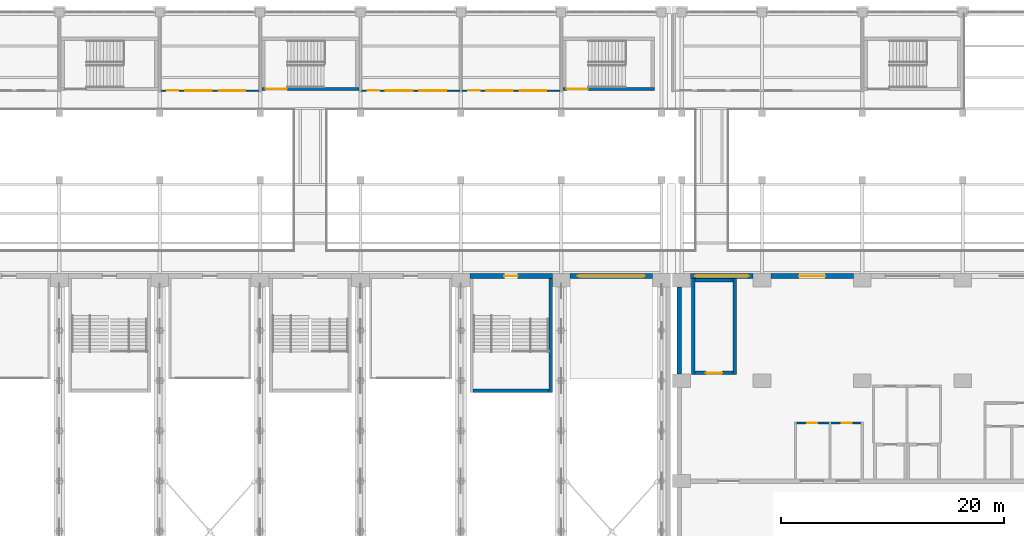
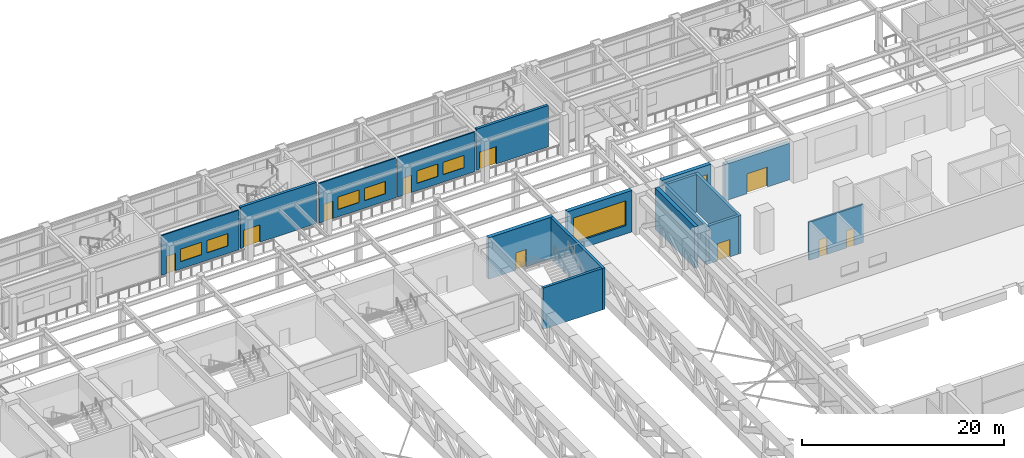
# One storey, part 37 of 76: 17 walls, 10 doors, 8 windows, 18 openings.
"""IFC4 building model written with IfcOpenShell, lengths in metres."""

from ifc_helpers import new_model, si_unit, direction, frame, frame_2d, origin, place, context, subcontext, project, spatial, rectangle, extrude, material, layer, layer_set, type_object, element, fill, save


model = new_model("IFC4")

# Units and contexts
model_context = context("Model", 3, precision=1e-05, world=origin(), true_north=direction((0.0, 1.0)))
body_context = subcontext(model_context, "Body", "Model", "MODEL_VIEW")
ifc_project = project(units=[si_unit("LENGTHUNIT", "METRE"), si_unit("AREAUNIT", "SQUARE_METRE"), si_unit("VOLUMEUNIT", "CUBIC_METRE"), si_unit("PLANEANGLEUNIT", "RADIAN"), si_unit("MASSUNIT", "GRAM", prefix="KILO")], contexts=[model_context])

# Site, building, storey
site_placement = place(None, origin())
site = spatial("IfcSite", under=ifc_project, at=site_placement, CompositionType="ELEMENT")
building_placement = place(site_placement, origin())
building = spatial("IfcBuilding", under=site, at=building_placement, Name="Aravalli Gate Trade Fair Centre", CompositionType="ELEMENT")
storey_placement = place(building_placement, frame((0.0, 0.0, 10.0)))
storey = spatial("IfcBuildingStorey", under=building, at=storey_placement, Name="L02", CompositionType="ELEMENT", Elevation=10.0)

# Walls
ifc_material_1 = material(Name="Concrete M40", Category="concrete")
ifc_layer_1 = layer(ifc_material_1, 0.300048828125)
ifc_layer_set_1 = layer_set([ifc_layer_1], Name="Concrete M40")
wall_type_1 = type_object("IfcWallType", Name="Congress RC wall 300", PredefinedType="SHEAR", material=ifc_layer_set_1)
for number, where, z_axis, x_axis, name in (
    (1, (107.85009765625, 100.550048828125, 0.0), (0.0, 0.0, 1.0), (0.0, 1.0, 0.0), "Foyer Stair West wall W L02"),
    (2, (111.550048828125, 100.550048828125, 0.0), (0.0, 0.0, 1.0), (0.0, 1.0, 0.0), "Foyer Stair West wall E L02"),
):
    element("IfcWall", number, at=place(storey_placement, frame(where, z_axis=z_axis, x_axis=x_axis)), inside=storey, type_object=wall_type_1, Name=name, PredefinedType="SHEAR", context=body_context, shape_type="SweptSolid", body=[
        extrude(rectangle(XDim=8.599853515625, YDim=0.300048828125, at=frame_2d((4.2998046875, 0.0))), origin(), (0.0, 0.0, 1.0), 4.60009765625),
    ])

# Wall, opening, door
wall_1_placement = place(storey_placement, frame((108.0, 100.699951171875, 0.0), z_axis=(0.0, 0.0, 1.0), x_axis=(1.0, 0.0, 0.0)))
wall_1 = element("IfcWall", 3, at=wall_1_placement, inside=storey, type_object=wall_type_1, Name="Foyer Stair West wall S L02", PredefinedType="SHEAR", context=body_context, shape_type="SweptSolid", body=[
    extrude(rectangle(XDim=3.39990234375, YDim=0.300048828125, at=frame_2d((1.699951171875, 0.0))), origin(), (0.0, 0.0, 1.0), 4.60009765625),
])
opening_1_placement = place(wall_1_placement, frame((0.97509765625, 0.0, 0.0)))
opening_1 = element("IfcOpeningElement", 4, at=opening_1_placement, cuts=wall_1, Name="Opening G-L02-07", PredefinedType="OPENING", context=body_context, shape_type="SweptSolid", body=[
    extrude(rectangle(XDim=1.449951171875, YDim=2.10009765625, at=frame_2d((0.72509765625, 1.050048828125))), frame((0.0, 0.159912109375, 0.0), z_axis=(0.0, -1.0, 0.0), x_axis=(1.0, 0.0, 0.0)), (0.0, 0.0, 1.0), 0.320068359375),
])
ifc_material_2 = material(Name="Steel, fire rated", Category="steel")
door_type_1 = type_object("IfcDoorType", Name="Congress fire door FD120 1450 x 2100", OperationType="SINGLE_SWING_LEFT", PredefinedType="DOOR", material=ifc_material_2)
door_1_placement = place(opening_1_placement, origin())
door_1 = element("IfcDoor", 5, at=door_1_placement, inside=storey, type_object=door_type_1, Name="Foyer Stair West door L02", OperationType="SINGLE_SWING_RIGHT", OverallHeight=2.10009765625, OverallWidth=1.449951171875, PredefinedType="DOOR", context=body_context, shape_type="SweptSolid", body=[
    extrude(rectangle(XDim=1.449951171875, YDim=2.10009765625, at=frame_2d((0.72509765625, 1.050048828125))), frame((0.0, 0.02490234375, 0.0), z_axis=(0.0, -1.0, 0.0), x_axis=(1.0, 0.0, 0.0)), (0.0, 0.0, 1.0), 0.050048828125),
])
fill(opening_1, door_1)

# Walls
wall_2_placement = place(storey_placement, frame((108.0, 109.0, 0.0), z_axis=(0.0, 0.0, 1.0), x_axis=(1.0, 0.0, 0.0)))
element("IfcWall", 6, at=wall_2_placement, inside=storey, type_object=wall_type_1, Name="Foyer Stair West wall N L02", PredefinedType="SHEAR", context=body_context, shape_type="SweptSolid", body=[
    extrude(rectangle(XDim=3.39990234375, YDim=0.300048828125, at=frame_2d((1.699951171875, 0.0))), origin(), (0.0, 0.0, 1.0), 4.60009765625),
])
ifc_layer_2 = layer(ifc_material_1, 0.25, Name="Structural wall")
ifc_material_3 = material(Name="Ventilated air cavity")
ifc_layer_3 = layer(ifc_material_3, 0.050048828125, ventilated=True, Name="Ventilated cavity")
ifc_material_4 = material(Name="Terracotta rainscreen", Category="masonry")
ifc_layer_4 = layer(ifc_material_4, 0.10009765625, Name="Rainscreen cladding")
ifc_layer_set_2 = layer_set([ifc_layer_2, ifc_layer_3, ifc_layer_4], Name="Congress external wall 400")
wall_type_2 = type_object("IfcWallType", Name="Congress external wall 400", PredefinedType="SOLIDWALL", material=ifc_layer_set_2)
wall_3_placement = place(storey_placement, frame((106.60009765625, 100.60009765625, 0.0), z_axis=(0.0, 0.0, 1.0), x_axis=(0.0, 1.0, 0.0)))
element("IfcWall", 7, at=wall_3_placement, inside=storey, type_object=wall_type_2, Name="West wall L02 bay 7", PredefinedType="SOLIDWALL", context=body_context, shape_type="SweptSolid", body=[
    extrude(rectangle(XDim=7.7998046875, YDim=0.39990234375, at=frame_2d((3.89990234375, 0.0))), origin(), (0.0, 0.0, 1.0), 5.0),
])

# Wall, openings, doors
ifc_material_5 = material(Name="Concrete block masonry", Category="masonry")
ifc_layer_5 = layer(ifc_material_5, 0.199951171875)
ifc_layer_set_3 = layer_set([ifc_layer_5], Name="Concrete block masonry")
wall_type_3 = type_object("IfcWallType", Name="Congress partition 200", PredefinedType="PARTITIONING", material=ifc_layer_set_3)
wall_4_placement = place(storey_placement, frame((116.89990234375, 96.199951171875, 0.0), z_axis=(0.0, 0.0, 1.0), x_axis=(1.0, 0.0, 0.0)))
wall_4 = element("IfcWall", 8, at=wall_4_placement, inside=storey, type_object=wall_type_3, Name="Interpreters booth wall N", PredefinedType="PARTITIONING", context=body_context, shape_type="SweptSolid", body=[
    extrude(rectangle(XDim=6.2001953125, YDim=0.199951171875, at=frame_2d((3.10009765625, 0.0))), origin(), (0.0, 0.0, 1.0), 4.60009765625),
])
opening_2_placement = place(wall_4_placement, frame((1.14990234375, 0.0, 0.0)))
opening_2 = element("IfcOpeningElement", 9, at=opening_2_placement, cuts=wall_4, Name="Opening G-L02-17", PredefinedType="OPENING", context=body_context, shape_type="SweptSolid", body=[
    extrude(rectangle(XDim=0.89990234375, YDim=2.10009765625, at=frame_2d((0.449951171875, 1.050048828125))), frame((0.0, 0.10986328125, 0.0), z_axis=(0.0, -1.0, 0.0), x_axis=(1.0, 0.0, 0.0)), (0.0, 0.0, 1.0), 0.219970703125),
])
opening_3_placement = place(wall_4_placement, frame((4.25, 0.0, 0.0)))
opening_3 = element("IfcOpeningElement", 10, at=opening_3_placement, cuts=wall_4, Name="Opening G-L02-18", PredefinedType="OPENING", context=body_context, shape_type="SweptSolid", body=[
    extrude(rectangle(XDim=0.89990234375, YDim=2.10009765625, at=frame_2d((0.449951171875, 1.050048828125))), frame((0.0, 0.10986328125, 0.0), z_axis=(0.0, -1.0, 0.0), x_axis=(1.0, 0.0, 0.0)), (0.0, 0.0, 1.0), 0.219970703125),
])
door_type_2 = type_object("IfcDoorType", Name="Congress fire door FD120 900 x 2100", OperationType="SINGLE_SWING_LEFT", PredefinedType="DOOR", material=ifc_material_2)
door_2_placement = place(opening_2_placement, frame((0.89990234375, 0.0, 0.0), z_axis=(0.0, 0.0, 1.0), x_axis=(-1.0, 0.0, 0.0)))
door_2 = element("IfcDoor", 11, at=door_2_placement, inside=storey, type_object=door_type_2, Name="Interpreters booth 1 door", OperationType="SINGLE_SWING_RIGHT", OverallHeight=2.10009765625, OverallWidth=0.89990234375, PredefinedType="DOOR", context=body_context, shape_type="SweptSolid", body=[
    extrude(rectangle(XDim=0.89990234375, YDim=2.10009765625, at=frame_2d((0.449951171875, 1.050048828125))), frame((0.0, 0.02490234375, 0.0), z_axis=(0.0, -1.0, 0.0), x_axis=(1.0, 0.0, 0.0)), (0.0, 0.0, 1.0), 0.050048828125),
])
fill(opening_2, door_2)
door_3_placement = place(opening_3_placement, frame((0.89990234375, 0.0, 0.0), z_axis=(0.0, 0.0, 1.0), x_axis=(-1.0, 0.0, 0.0)))
door_3 = element("IfcDoor", 12, at=door_3_placement, inside=storey, type_object=door_type_2, Name="Interpreters booth 2 door", OperationType="SINGLE_SWING_LEFT", OverallHeight=2.10009765625, OverallWidth=0.89990234375, PredefinedType="DOOR", context=body_context, shape_type="SweptSolid", body=[
    extrude(rectangle(XDim=0.89990234375, YDim=2.10009765625, at=frame_2d((0.449951171875, 1.050048828125))), frame((0.0, 0.02490234375, 0.0), z_axis=(0.0, -1.0, 0.0), x_axis=(1.0, 0.0, 0.0)), (0.0, 0.0, 1.0), 0.050048828125),
])
fill(opening_3, door_3)

# Wall, opening, window
ifc_layer_6 = layer(ifc_material_1, 0.449951171875)
ifc_layer_set_4 = layer_set([ifc_layer_6], Name="Concrete M40")
wall_type_4 = type_object("IfcWallType", Name="Congress party wall 450", PredefinedType="SOLIDWALL", material=ifc_layer_set_4)
wall_5_placement = place(storey_placement, frame((107.60009765625, 109.375, 0.0), z_axis=(0.0, 0.0, 1.0), x_axis=(1.0, 0.0, 0.0)))
wall_5 = element("IfcWall", 13, at=wall_5_placement, inside=storey, type_object=wall_type_4, Name="North wall L02 bay 1", PredefinedType="SOLIDWALL", context=body_context, shape_type="SweptSolid", body=[
    extrude(rectangle(XDim=5.599853515625, YDim=0.449951171875, at=frame_2d((2.7998046875, 0.0))), origin(), (0.0, 0.0, 1.0), 5.0),
])
opening_4_placement = place(wall_5_placement, frame((0.39990234375, 0.0, 0.89990234375)))
opening_4 = element("IfcOpeningElement", 14, at=opening_4_placement, cuts=wall_5, Name="Opening GWN3", PredefinedType="OPENING", context=body_context, shape_type="SweptSolid", body=[
    extrude(rectangle(XDim=4.800048828125, YDim=3.0, at=frame_2d((2.39990234375, 1.5))), frame((0.0, 0.23486328125, 0.0), z_axis=(0.0, -1.0, 0.0), x_axis=(1.0, 0.0, 0.0)), (0.0, 0.0, 1.0), 0.469970703125),
])
ifc_material_6 = material(Name="Aluminium and glass", Category="aluminium")
window_type_1 = type_object("IfcWindowType", Name="Congress foyer window 4800 x 3000", PartitioningType="SINGLE_PANEL", PredefinedType="WINDOW", material=ifc_material_6)
window_1_placement = place(opening_4_placement, origin())
window_1 = element("IfcWindow", 15, at=window_1_placement, inside=storey, type_object=window_type_1, Name="Foyer window L02 bay 1", OverallHeight=3.0, OverallWidth=4.800048828125, PartitioningType="SINGLE_PANEL", PredefinedType="WINDOW", context=body_context, shape_type="SweptSolid", body=[
    extrude(rectangle(XDim=4.800048828125, YDim=3.0, at=frame_2d((2.39990234375, 1.5))), frame((0.0, 0.030029296875, 0.0), z_axis=(0.0, -1.0, 0.0), x_axis=(1.0, 0.0, 0.0)), (0.0, 0.0, 1.0), 0.06005859375),
])
fill(opening_4, window_1)

# Wall, opening, door
wall_6_placement = place(storey_placement, frame((114.800048828125, 109.375, 0.0), z_axis=(0.0, 0.0, 1.0), x_axis=(1.0, 0.0, 0.0)))
wall_6 = element("IfcWall", 16, at=wall_6_placement, inside=storey, type_object=wall_type_4, Name="North wall L02 bay 2", PredefinedType="SOLIDWALL", context=body_context, shape_type="SweptSolid", body=[
    extrude(rectangle(XDim=7.39990234375, YDim=0.449951171875, at=frame_2d((3.699951171875, 0.0))), origin(), (0.0, 0.0, 1.0), 4.39990234375),
])
opening_5_placement = place(wall_6_placement, frame((2.52490234375, 0.0, 0.0)))
opening_5 = element("IfcOpeningElement", 17, at=opening_5_placement, cuts=wall_6, Name="Opening G-L02-03", PredefinedType="OPENING", context=body_context, shape_type="SweptSolid", body=[
    extrude(rectangle(XDim=2.35009765625, YDim=2.39990234375, at=frame_2d((1.175048828125, 1.199951171875))), frame((0.0, 0.23486328125, 0.0), z_axis=(0.0, -1.0, 0.0), x_axis=(1.0, 0.0, 0.0)), (0.0, 0.0, 1.0), 0.469970703125),
])
door_type_3 = type_object("IfcDoorType", Name="Congress glazed entrance door 2350 x 2400 double door single swing", OperationType="DOUBLE_DOOR_SINGLE_SWING", PredefinedType="DOOR", material=ifc_material_6)
door_4_placement = place(opening_5_placement, frame((2.35009765625, 0.0, 0.0), z_axis=(0.0, 0.0, 1.0), x_axis=(-1.0, 0.0, 0.0)))
door_4 = element("IfcDoor", 18, at=door_4_placement, inside=storey, type_object=door_type_3, Name="Foyer gallery door L02 1", OperationType="DOUBLE_DOOR_SINGLE_SWING", OverallHeight=2.39990234375, OverallWidth=2.35009765625, PredefinedType="DOOR", context=body_context, shape_type="SweptSolid", body=[
    extrude(rectangle(XDim=2.35009765625, YDim=2.39990234375, at=frame_2d((1.175048828125, 1.199951171875))), frame((0.0, 0.02490234375, 0.0), z_axis=(0.0, -1.0, 0.0), x_axis=(1.0, 0.0, 0.0)), (0.0, 0.0, 1.0), 0.050048828125),
])
fill(opening_5, door_4)

ifc_layer_7 = layer(ifc_material_1, 0.25, Name="Structural wall")
ifc_layer_8 = layer(ifc_material_3, 0.10009765625, ventilated=True, Name="Ventilated cavity")
ifc_layer_9 = layer(ifc_material_4, 0.10009765625, Name="Rainscreen cladding")
ifc_layer_set_5 = layer_set([ifc_layer_7, ifc_layer_8, ifc_layer_9], Name="Hall external wall 450")
wall_type_5 = type_object("IfcWallType", Name="Hall external wall 450", PredefinedType="SOLIDWALL", material=ifc_layer_set_5)
wall_7_placement = place(storey_placement, frame((87.800048828125, 109.375, 0.0), z_axis=(0.0, 0.0, 1.0), x_axis=(1.0, 0.0, 0.0)))
wall_7 = element("IfcWall", 19, at=wall_7_placement, inside=storey, type_object=wall_type_5, Name="Hall north wall bay 10 L02", PredefinedType="SOLIDWALL", context=body_context, shape_type="SweptSolid", body=[
    extrude(rectangle(XDim=7.39990234375, YDim=0.449951171875, at=frame_2d((3.699951171875, 0.0))), origin(), (0.0, 0.0, 1.0), 5.0),
])
opening_6_placement = place(wall_7_placement, frame((3.10009765625, 0.0, 0.0)))
opening_6 = element("IfcOpeningElement", 20, at=opening_6_placement, cuts=wall_7, Name="Opening H-L02-05", PredefinedType="OPENING", context=body_context, shape_type="SweptSolid", body=[
    extrude(rectangle(XDim=1.199951171875, YDim=2.10009765625, at=frame_2d((0.60009765625, 1.050048828125))), frame((0.0, 0.23486328125, 0.0), z_axis=(0.0, -1.0, 0.0), x_axis=(1.0, 0.0, 0.0)), (0.0, 0.0, 1.0), 0.469970703125),
])
ifc_material_7 = material(Name="Steel", Category="steel")
door_type_4 = type_object("IfcDoorType", Name="Hall stair gallery door FD120", OperationType="SINGLE_SWING_LEFT", PredefinedType="DOOR", material=ifc_material_7)
door_5_placement = place(opening_6_placement, frame((1.199951171875, 0.0, 0.0), z_axis=(0.0, 0.0, 1.0), x_axis=(-1.0, 0.0, 0.0)))
door_5 = element("IfcDoor", 21, at=door_5_placement, inside=storey, type_object=door_type_4, Name="Stair door ST-N10 L02 gallery", OperationType="SINGLE_SWING_LEFT", OverallHeight=2.10009765625, OverallWidth=1.199951171875, PredefinedType="DOOR", context=body_context, shape_type="SweptSolid", body=[
    extrude(rectangle(XDim=1.199951171875, YDim=2.10009765625, at=frame_2d((0.60009765625, 1.050048828125))), frame((0.0, 0.02490234375, 0.0), z_axis=(0.0, -1.0, 0.0), x_axis=(1.0, 0.0, 0.0)), (0.0, 0.0, 1.0), 0.050048828125),
])
fill(opening_6, door_5)

# Wall, opening, window
wall_8_placement = place(storey_placement, frame((96.800048828125, 109.375, 0.0), z_axis=(0.0, 0.0, 1.0), x_axis=(1.0, 0.0, 0.0)))
wall_8 = element("IfcWall", 22, at=wall_8_placement, inside=storey, type_object=wall_type_5, Name="Hall north wall bay 11 L02", PredefinedType="SOLIDWALL", context=body_context, shape_type="SweptSolid", body=[
    extrude(rectangle(XDim=7.39990234375, YDim=0.449951171875, at=frame_2d((3.699951171875, 0.0))), origin(), (0.0, 0.0, 1.0), 5.0),
])
opening_7_placement = place(wall_8_placement, frame((0.699951171875, 0.0, 1.0)))
opening_7 = element("IfcOpeningElement", 23, at=opening_7_placement, cuts=wall_8, Name="Opening LV1", PredefinedType="OPENING", context=body_context, shape_type="SweptSolid", body=[
    extrude(rectangle(XDim=6.0, YDim=3.0, at=frame_2d((3.0, 1.5))), frame((0.0, 0.23486328125, 0.0), z_axis=(0.0, -1.0, 0.0), x_axis=(1.0, 0.0, 0.0)), (0.0, 0.0, 1.0), 0.469970703125),
])
ifc_material_8 = material(Name="Aluminium", Category="aluminium")
window_type_2 = type_object("IfcWindowType", Name="Hall louvre 6000x3000", PartitioningType="SINGLE_PANEL", PredefinedType="USERDEFINED", material=ifc_material_8)
window_2_placement = place(opening_7_placement, origin())
window_2 = element("IfcWindow", 24, at=window_2_placement, inside=storey, type_object=window_type_2, Name="Hall north louvre bay 11 L02", ObjectType="LOUVRE", OverallHeight=3.0, OverallWidth=6.0, PartitioningType="SINGLE_PANEL", PredefinedType="USERDEFINED", context=body_context, shape_type="SweptSolid", body=[
    extrude(rectangle(XDim=6.0, YDim=3.0, at=frame_2d((3.0, 1.5))), frame((0.0, 0.030029296875, 0.0), z_axis=(0.0, -1.0, 0.0), x_axis=(1.0, 0.0, 0.0)), (0.0, 0.0, 1.0), 0.06005859375),
])
fill(opening_7, window_2)

# Wall, openings, windows, door
ifc_material_9 = material(Name="Gypsum board")
ifc_layer_10 = layer(ifc_material_9, 0.02490234375, Name="Gypsum board lining")
ifc_material_10 = material(Name="Galvanised stud framing")
ifc_layer_11 = layer(ifc_material_10, 0.10009765625, Name="Stud framing")
ifc_layer_12 = layer(ifc_material_9, 0.02490234375, Name="Gypsum board lining")
ifc_layer_set_6 = layer_set([ifc_layer_10, ifc_layer_11, ifc_layer_12], Name="Partition wall 150")
wall_type_6 = type_object("IfcWallType", Name="Partition wall 150", PredefinedType="PARTITIONING", material=ifc_layer_set_6)
wall_9_placement = place(storey_placement, frame((60.074951171875, 126.0, 0.0), z_axis=(0.0, 0.0, 1.0), x_axis=(1.0, 0.0, 0.0)))
wall_9 = element("IfcWall", 25, at=wall_9_placement, inside=storey, type_object=wall_type_6, Name="Partition Meeting Room 2 south L02", PredefinedType="PARTITIONING", context=body_context, shape_type="SweptSolid", body=[
    extrude(rectangle(XDim=8.85009765625, YDim=0.14990234375, at=frame_2d((4.425048828125, 0.0))), origin(), (0.0, 0.0, 1.0), 4.800048828125),
])
opening_8_placement = place(wall_9_placement, frame((0.60009765625, 0.0, 0.0)))
opening_8 = element("IfcOpeningElement", 26, at=opening_8_placement, cuts=wall_9, Name="Opening C-L02-16", PredefinedType="OPENING", context=body_context, shape_type="SweptSolid", body=[
    extrude(rectangle(XDim=1.0, YDim=2.10009765625, at=frame_2d((0.5, 1.050048828125))), frame((0.0, 0.0849609375, 0.0), z_axis=(0.0, -1.0, 0.0), x_axis=(1.0, 0.0, 0.0)), (0.0, 0.0, 1.0), 0.169921875),
])
opening_9_placement = place(wall_9_placement, frame((2.199951171875, 0.0, 0.89990234375)))
opening_9 = element("IfcOpeningElement", 27, at=opening_9_placement, cuts=wall_9, Name="Opening WI1", PredefinedType="OPENING", context=body_context, shape_type="SweptSolid", body=[
    extrude(rectangle(XDim=2.39990234375, YDim=1.5, at=frame_2d((1.199951171875, 0.75))), frame((0.0, 0.0849609375, 0.0), z_axis=(0.0, -1.0, 0.0), x_axis=(1.0, 0.0, 0.0)), (0.0, 0.0, 1.0), 0.169921875),
])
opening_10_placement = place(wall_9_placement, frame((5.199951171875, 0.0, 0.89990234375)))
opening_10 = element("IfcOpeningElement", 28, at=opening_10_placement, cuts=wall_9, Name="Opening WI1", PredefinedType="OPENING", context=body_context, shape_type="SweptSolid", body=[
    extrude(rectangle(XDim=2.39990234375, YDim=1.5, at=frame_2d((1.199951171875, 0.75))), frame((0.0, 0.0849609375, 0.0), z_axis=(0.0, -1.0, 0.0), x_axis=(1.0, 0.0, 0.0)), (0.0, 0.0, 1.0), 0.169921875),
])
ifc_material_11 = material(Name="Glass, fire rated", Category="glass")
window_type_3 = type_object("IfcWindowType", Name="Interior glazed screen 2400 x 1500", PartitioningType="SINGLE_PANEL", PredefinedType="WINDOW", material=ifc_material_11)
window_3_placement = place(opening_9_placement, origin())
window_3 = element("IfcWindow", 29, at=window_3_placement, inside=storey, type_object=window_type_3, Name="Interior window Meeting Room 2 1 L02", OverallHeight=1.5, OverallWidth=2.39990234375, PartitioningType="SINGLE_PANEL", PredefinedType="WINDOW", context=body_context, shape_type="SweptSolid", body=[
    extrude(rectangle(XDim=2.39990234375, YDim=1.5, at=frame_2d((1.199951171875, 0.75))), frame((0.0, 0.030029296875, 0.0), z_axis=(0.0, -1.0, 0.0), x_axis=(1.0, 0.0, 0.0)), (0.0, 0.0, 1.0), 0.06005859375),
])
fill(opening_9, window_3)
window_4_placement = place(opening_10_placement, origin())
window_4 = element("IfcWindow", 30, at=window_4_placement, inside=storey, type_object=window_type_3, Name="Interior window Meeting Room 2 2 L02", OverallHeight=1.5, OverallWidth=2.39990234375, PartitioningType="SINGLE_PANEL", PredefinedType="WINDOW", context=body_context, shape_type="SweptSolid", body=[
    extrude(rectangle(XDim=2.39990234375, YDim=1.5, at=frame_2d((1.199951171875, 0.75))), frame((0.0, 0.030029296875, 0.0), z_axis=(0.0, -1.0, 0.0), x_axis=(1.0, 0.0, 0.0)), (0.0, 0.0, 1.0), 0.06005859375),
])
fill(opening_10, window_4)
door_type_5 = type_object("IfcDoorType", Name="Room door 1000 x 2100", OperationType="SINGLE_SWING_RIGHT", PredefinedType="NOTDEFINED", material=ifc_material_2)
door_6_placement = place(opening_8_placement, origin())
door_6 = element("IfcDoor", 31, at=door_6_placement, inside=storey, type_object=door_type_5, Name="Door Meeting Room 2 L02", OperationType="SINGLE_SWING_LEFT", OverallHeight=2.10009765625, OverallWidth=1.0, PredefinedType="NOTDEFINED", context=body_context, shape_type="SweptSolid", body=[
    extrude(rectangle(XDim=1.0, YDim=2.10009765625, at=frame_2d((0.5, 1.050048828125))), frame((0.0, 0.02490234375, 0.0), z_axis=(0.0, -1.0, 0.0), x_axis=(1.0, 0.0, 0.0)), (0.0, 0.0, 1.0), 0.050048828125),
])
fill(opening_8, door_6)

wall_10_placement = place(storey_placement, frame((78.074951171875, 126.0, 0.0), z_axis=(0.0, 0.0, 1.0), x_axis=(1.0, 0.0, 0.0)))
wall_10 = element("IfcWall", 32, at=wall_10_placement, inside=storey, type_object=wall_type_6, Name="Partition Meeting Room 3 south L02", PredefinedType="PARTITIONING", context=body_context, shape_type="SweptSolid", body=[
    extrude(rectangle(XDim=8.85009765625, YDim=0.14990234375, at=frame_2d((4.425048828125, 0.0))), origin(), (0.0, 0.0, 1.0), 4.800048828125),
])
opening_11_placement = place(wall_10_placement, frame((0.60009765625, 0.0, 0.0)))
opening_11 = element("IfcOpeningElement", 33, at=opening_11_placement, cuts=wall_10, Name="Opening C-L02-17", PredefinedType="OPENING", context=body_context, shape_type="SweptSolid", body=[
    extrude(rectangle(XDim=1.0, YDim=2.10009765625, at=frame_2d((0.5, 1.050048828125))), frame((0.0, 0.0849609375, 0.0), z_axis=(0.0, -1.0, 0.0), x_axis=(1.0, 0.0, 0.0)), (0.0, 0.0, 1.0), 0.169921875),
])
opening_12_placement = place(wall_10_placement, frame((2.199951171875, 0.0, 0.89990234375)))
opening_12 = element("IfcOpeningElement", 34, at=opening_12_placement, cuts=wall_10, Name="Opening WI1", PredefinedType="OPENING", context=body_context, shape_type="SweptSolid", body=[
    extrude(rectangle(XDim=2.39990234375, YDim=1.5, at=frame_2d((1.199951171875, 0.75))), frame((0.0, 0.0849609375, 0.0), z_axis=(0.0, -1.0, 0.0), x_axis=(1.0, 0.0, 0.0)), (0.0, 0.0, 1.0), 0.169921875),
])
opening_13_placement = place(wall_10_placement, frame((5.199951171875, 0.0, 0.89990234375)))
opening_13 = element("IfcOpeningElement", 35, at=opening_13_placement, cuts=wall_10, Name="Opening WI1", PredefinedType="OPENING", context=body_context, shape_type="SweptSolid", body=[
    extrude(rectangle(XDim=2.39990234375, YDim=1.5, at=frame_2d((1.199951171875, 0.75))), frame((0.0, 0.0849609375, 0.0), z_axis=(0.0, -1.0, 0.0), x_axis=(1.0, 0.0, 0.0)), (0.0, 0.0, 1.0), 0.169921875),
])
window_5_placement = place(opening_12_placement, origin())
window_5 = element("IfcWindow", 36, at=window_5_placement, inside=storey, type_object=window_type_3, Name="Interior window Meeting Room 3 1 L02", OverallHeight=1.5, OverallWidth=2.39990234375, PartitioningType="SINGLE_PANEL", PredefinedType="WINDOW", context=body_context, shape_type="SweptSolid", body=[
    extrude(rectangle(XDim=2.39990234375, YDim=1.5, at=frame_2d((1.199951171875, 0.75))), frame((0.0, 0.030029296875, 0.0), z_axis=(0.0, -1.0, 0.0), x_axis=(1.0, 0.0, 0.0)), (0.0, 0.0, 1.0), 0.06005859375),
])
fill(opening_12, window_5)
window_6_placement = place(opening_13_placement, origin())
window_6 = element("IfcWindow", 37, at=window_6_placement, inside=storey, type_object=window_type_3, Name="Interior window Meeting Room 3 2 L02", OverallHeight=1.5, OverallWidth=2.39990234375, PartitioningType="SINGLE_PANEL", PredefinedType="WINDOW", context=body_context, shape_type="SweptSolid", body=[
    extrude(rectangle(XDim=2.39990234375, YDim=1.5, at=frame_2d((1.199951171875, 0.75))), frame((0.0, 0.030029296875, 0.0), z_axis=(0.0, -1.0, 0.0), x_axis=(1.0, 0.0, 0.0)), (0.0, 0.0, 1.0), 0.06005859375),
])
fill(opening_13, window_6)
door_7_placement = place(opening_11_placement, origin())
door_7 = element("IfcDoor", 38, at=door_7_placement, inside=storey, type_object=door_type_5, Name="Door Meeting Room 3 L02", OperationType="SINGLE_SWING_LEFT", OverallHeight=2.10009765625, OverallWidth=1.0, PredefinedType="NOTDEFINED", context=body_context, shape_type="SweptSolid", body=[
    extrude(rectangle(XDim=1.0, YDim=2.10009765625, at=frame_2d((0.5, 1.050048828125))), frame((0.0, 0.02490234375, 0.0), z_axis=(0.0, -1.0, 0.0), x_axis=(1.0, 0.0, 0.0)), (0.0, 0.0, 1.0), 0.050048828125),
])
fill(opening_11, door_7)

wall_11_placement = place(storey_placement, frame((87.074951171875, 126.0, 0.0), z_axis=(0.0, 0.0, 1.0), x_axis=(1.0, 0.0, 0.0)))
wall_11 = element("IfcWall", 39, at=wall_11_placement, inside=storey, type_object=wall_type_6, Name="Partition Meeting Room 4 south L02", PredefinedType="PARTITIONING", context=body_context, shape_type="SweptSolid", body=[
    extrude(rectangle(XDim=8.85009765625, YDim=0.14990234375, at=frame_2d((4.425048828125, 0.0))), origin(), (0.0, 0.0, 1.0), 4.800048828125),
])
opening_14_placement = place(wall_11_placement, frame((0.60009765625, 0.0, 0.0)))
opening_14 = element("IfcOpeningElement", 40, at=opening_14_placement, cuts=wall_11, Name="Opening C-L02-18", PredefinedType="OPENING", context=body_context, shape_type="SweptSolid", body=[
    extrude(rectangle(XDim=1.0, YDim=2.10009765625, at=frame_2d((0.5, 1.050048828125))), frame((0.0, 0.0849609375, 0.0), z_axis=(0.0, -1.0, 0.0), x_axis=(1.0, 0.0, 0.0)), (0.0, 0.0, 1.0), 0.169921875),
])
opening_15_placement = place(wall_11_placement, frame((2.199951171875, 0.0, 0.89990234375)))
opening_15 = element("IfcOpeningElement", 41, at=opening_15_placement, cuts=wall_11, Name="Opening WI1", PredefinedType="OPENING", context=body_context, shape_type="SweptSolid", body=[
    extrude(rectangle(XDim=2.39990234375, YDim=1.5, at=frame_2d((1.199951171875, 0.75))), frame((0.0, 0.0849609375, 0.0), z_axis=(0.0, -1.0, 0.0), x_axis=(1.0, 0.0, 0.0)), (0.0, 0.0, 1.0), 0.169921875),
])
opening_16_placement = place(wall_11_placement, frame((5.199951171875, 0.0, 0.89990234375)))
opening_16 = element("IfcOpeningElement", 42, at=opening_16_placement, cuts=wall_11, Name="Opening WI1", PredefinedType="OPENING", context=body_context, shape_type="SweptSolid", body=[
    extrude(rectangle(XDim=2.39990234375, YDim=1.5, at=frame_2d((1.199951171875, 0.75))), frame((0.0, 0.0849609375, 0.0), z_axis=(0.0, -1.0, 0.0), x_axis=(1.0, 0.0, 0.0)), (0.0, 0.0, 1.0), 0.169921875),
])
window_7_placement = place(opening_15_placement, origin())
window_7 = element("IfcWindow", 43, at=window_7_placement, inside=storey, type_object=window_type_3, Name="Interior window Meeting Room 4 1 L02", OverallHeight=1.5, OverallWidth=2.39990234375, PartitioningType="SINGLE_PANEL", PredefinedType="WINDOW", context=body_context, shape_type="SweptSolid", body=[
    extrude(rectangle(XDim=2.39990234375, YDim=1.5, at=frame_2d((1.199951171875, 0.75))), frame((0.0, 0.030029296875, 0.0), z_axis=(0.0, -1.0, 0.0), x_axis=(1.0, 0.0, 0.0)), (0.0, 0.0, 1.0), 0.06005859375),
])
fill(opening_15, window_7)
window_8_placement = place(opening_16_placement, origin())
window_8 = element("IfcWindow", 44, at=window_8_placement, inside=storey, type_object=window_type_3, Name="Interior window Meeting Room 4 2 L02", OverallHeight=1.5, OverallWidth=2.39990234375, PartitioningType="SINGLE_PANEL", PredefinedType="WINDOW", context=body_context, shape_type="SweptSolid", body=[
    extrude(rectangle(XDim=2.39990234375, YDim=1.5, at=frame_2d((1.199951171875, 0.75))), frame((0.0, 0.030029296875, 0.0), z_axis=(0.0, -1.0, 0.0), x_axis=(1.0, 0.0, 0.0)), (0.0, 0.0, 1.0), 0.06005859375),
])
fill(opening_16, window_8)
door_8_placement = place(opening_14_placement, origin())
door_8 = element("IfcDoor", 45, at=door_8_placement, inside=storey, type_object=door_type_5, Name="Door Meeting Room 4 L02", OperationType="SINGLE_SWING_LEFT", OverallHeight=2.10009765625, OverallWidth=1.0, PredefinedType="NOTDEFINED", context=body_context, shape_type="SweptSolid", body=[
    extrude(rectangle(XDim=1.0, YDim=2.10009765625, at=frame_2d((0.5, 1.050048828125))), frame((0.0, 0.02490234375, 0.0), z_axis=(0.0, -1.0, 0.0), x_axis=(1.0, 0.0, 0.0)), (0.0, 0.0, 1.0), 0.050048828125),
])
fill(opening_14, door_8)

# Wall, opening, door
ifc_layer_13 = layer(ifc_material_1, 0.300048828125)
ifc_layer_set_7 = layer_set([ifc_layer_13], Name="Concrete M40")
wall_type_7 = type_object("IfcWallType", Name="RC core wall 300", PredefinedType="SHEAR", material=ifc_layer_set_7)
wall_12_placement = place(storey_placement, frame((69.14990234375, 126.14990234375, 0.0), z_axis=(0.0, 0.0, 1.0), x_axis=(1.0, 0.0, 0.0)))
wall_12 = element("IfcWall", 46, at=wall_12_placement, inside=storey, type_object=wall_type_7, Name="Core wall XCS L02", PredefinedType="SHEAR", context=body_context, shape_type="SweptSolid", body=[
    extrude(rectangle(XDim=8.7001953125, YDim=0.300048828125, at=frame_2d((4.35009765625, 0.0))), origin(), (0.0, 0.0, 1.0), 5.0),
])
opening_17_placement = place(wall_12_placement, frame((0.35009765625, 0.0, 0.0)))
opening_17 = element("IfcOpeningElement", 47, at=opening_17_placement, cuts=wall_12, Name="Opening C-L02-09", PredefinedType="OPENING", context=body_context, shape_type="SweptSolid", body=[
    extrude(rectangle(XDim=1.89990234375, YDim=2.10009765625, at=frame_2d((0.949951171875, 1.050048828125))), frame((0.0, 0.159912109375, 0.0), z_axis=(0.0, -1.0, 0.0), x_axis=(1.0, 0.0, 0.0)), (0.0, 0.0, 1.0), 0.320068359375),
])
door_type_6 = type_object("IfcDoorType", Name="Concourse stair door 1900 x 2100", OperationType="DOUBLE_DOOR_SINGLE_SWING", PredefinedType="NOTDEFINED", material=ifc_material_2)
door_9_placement = place(opening_17_placement, origin())
door_9 = element("IfcDoor", 48, at=door_9_placement, inside=storey, type_object=door_type_6, Name="Stair door XC L02", OperationType="DOUBLE_DOOR_SINGLE_SWING", OverallHeight=2.10009765625, OverallWidth=1.89990234375, PredefinedType="NOTDEFINED", context=body_context, shape_type="SweptSolid", body=[
    extrude(rectangle(XDim=1.89990234375, YDim=2.10009765625, at=frame_2d((0.949951171875, 1.050048828125))), frame((0.0, 0.02490234375, 0.0), z_axis=(0.0, -1.0, 0.0), x_axis=(1.0, 0.0, 0.0)), (0.0, 0.0, 1.0), 0.050048828125),
])
fill(opening_17, door_9)

wall_13_placement = place(storey_placement, frame((96.14990234375, 126.14990234375, 0.0), z_axis=(0.0, 0.0, 1.0), x_axis=(1.0, 0.0, 0.0)))
wall_13 = element("IfcWall", 49, at=wall_13_placement, inside=storey, type_object=wall_type_7, Name="Core wall XDS L02", PredefinedType="SHEAR", context=body_context, shape_type="SweptSolid", body=[
    extrude(rectangle(XDim=8.2001953125, YDim=0.300048828125, at=frame_2d((4.10009765625, 0.0))), origin(), (0.0, 0.0, 1.0), 5.0),
])
opening_18_placement = place(wall_13_placement, frame((0.35009765625, 0.0, 0.0)))
opening_18 = element("IfcOpeningElement", 50, at=opening_18_placement, cuts=wall_13, Name="Opening C-L02-10", PredefinedType="OPENING", context=body_context, shape_type="SweptSolid", body=[
    extrude(rectangle(XDim=1.89990234375, YDim=2.10009765625, at=frame_2d((0.949951171875, 1.050048828125))), frame((0.0, 0.159912109375, 0.0), z_axis=(0.0, -1.0, 0.0), x_axis=(1.0, 0.0, 0.0)), (0.0, 0.0, 1.0), 0.320068359375),
])
door_10_placement = place(opening_18_placement, origin())
door_10 = element("IfcDoor", 51, at=door_10_placement, inside=storey, type_object=door_type_6, Name="Stair door XD L02", OperationType="DOUBLE_DOOR_SINGLE_SWING", OverallHeight=2.10009765625, OverallWidth=1.89990234375, PredefinedType="NOTDEFINED", context=body_context, shape_type="SweptSolid", body=[
    extrude(rectangle(XDim=1.89990234375, YDim=2.10009765625, at=frame_2d((0.949951171875, 1.050048828125))), frame((0.0, 0.02490234375, 0.0), z_axis=(0.0, -1.0, 0.0), x_axis=(1.0, 0.0, 0.0)), (0.0, 0.0, 1.0), 0.050048828125),
])
fill(opening_18, door_10)

# Walls
ifc_layer_14 = layer(ifc_material_1, 0.300048828125)
ifc_layer_set_8 = layer_set([ifc_layer_14], Name="Concrete M40")
wall_type_8 = type_object("IfcWallType", Name="Stair tower wall RC 300", PredefinedType="SHEAR", material=ifc_layer_set_8)
wall_14_placement = place(storey_placement, frame((95.050048828125, 109.14990234375, 0.0), z_axis=(0.0, 0.0, 1.0), x_axis=(0.0, -1.0, 0.0)))
element("IfcWall", 52, at=wall_14_placement, inside=storey, type_object=wall_type_8, Name="Stair tower N10 wall E L02", PredefinedType="SHEAR", context=body_context, shape_type="SweptSolid", body=[
    extrude(rectangle(XDim=10.199951171875, YDim=0.300048828125, at=frame_2d((5.10009765625, 0.0))), origin(), (0.0, 0.0, 1.0), 5.0),
])
wall_15_placement = place(storey_placement, frame((88.10009765625, 99.10009765625, 0.0), z_axis=(0.0, 0.0, 1.0), x_axis=(1.0, 0.0, 0.0)))
element("IfcWall", 53, at=wall_15_placement, inside=storey, type_object=wall_type_8, Name="Stair tower N10 wall F L02", PredefinedType="SHEAR", context=body_context, shape_type="SweptSolid", body=[
    extrude(rectangle(XDim=6.7998046875, YDim=0.300048828125, at=frame_2d((3.39990234375, 0.0))), origin(), (0.0, 0.0, 1.0), 5.0),
])

save(model, "model.ifc")
